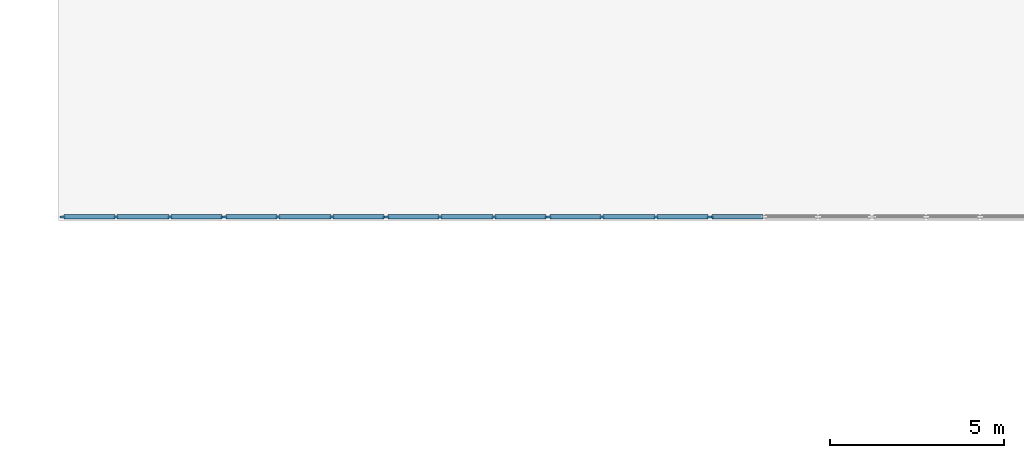
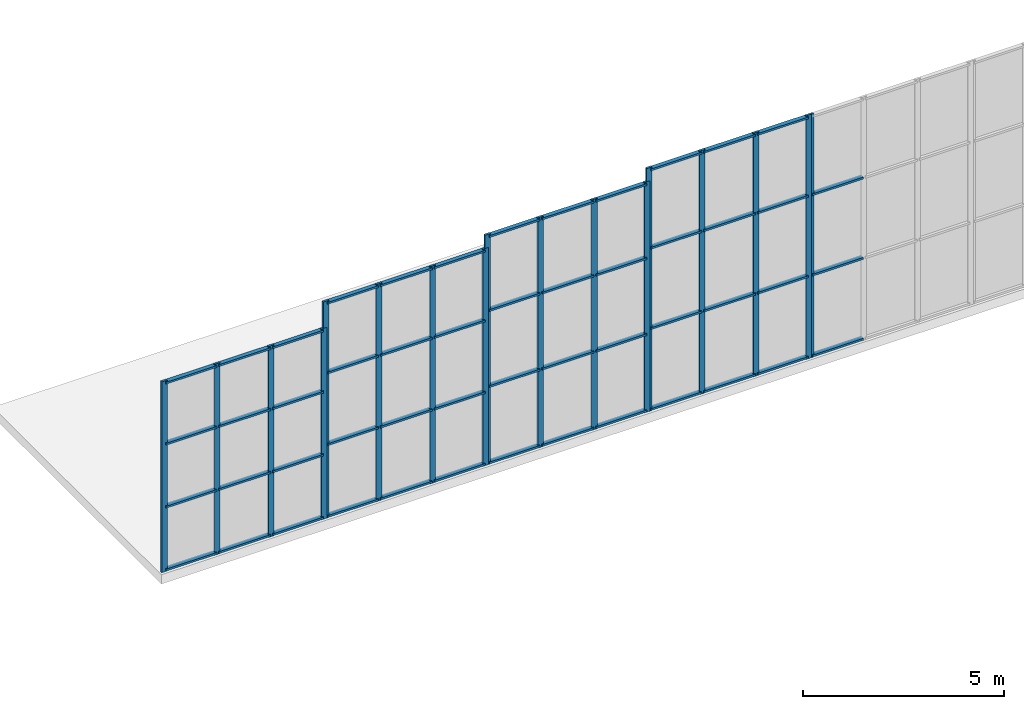
# One storey, part 35 of 100: 68 members, 5 elements without a shape of their own.
"""IFC4 building model written with IfcOpenShell, lengths in metres."""

from ifc_helpers import new_model, si_unit, direction, frame, origin, origin_2d, place, context, subcontext, project, spatial, rectangle, extrude, material, material_profile, profile_set, type_object, element, aggregate, save


model = new_model("IFC4")

# Units and contexts
model_context = context("Model", 3, precision=1e-05, world=origin(), true_north=direction((0.0, 1.0)))
body_context = subcontext(model_context, "Body", "Model", "MODEL_VIEW")
ifc_project = project(units=[si_unit("LENGTHUNIT", "METRE"), si_unit("AREAUNIT", "SQUARE_METRE"), si_unit("VOLUMEUNIT", "CUBIC_METRE"), si_unit("PLANEANGLEUNIT", "RADIAN"), si_unit("MASSUNIT", "GRAM", prefix="KILO")], contexts=[model_context])

# Site, building, storey
site_placement = place(None, origin())
site = spatial("IfcSite", under=ifc_project, at=site_placement, CompositionType="ELEMENT")
building_placement = place(site_placement, origin())
building = spatial("IfcBuilding", under=site, at=building_placement, Name="Cresset Court Congress Hotel", CompositionType="ELEMENT")
storey_placement = place(building_placement, frame((0.0, 0.0, 10.199951171875)))
storey = spatial("IfcBuildingStorey", under=building, at=storey_placement, Name="L02", CompositionType="ELEMENT", Elevation=10.199951171875)

# Curtain wall, members
ifc_material_1 = material(Name="Aluminium frame with insulated glass", Category="aluminium")
curtain_wall_type = type_object("IfcCurtainWallType", Name="Curtain wall module 1500", PredefinedType="NOTDEFINED", material=ifc_material_1)
curtain_wall_1_placement = place(storey_placement, origin())
curtain_wall_1 = element("IfcCurtainWall", 1, at=curtain_wall_1_placement, inside=storey, type_object=curtain_wall_type, Name="Curtain wall G1", PredefinedType="NOTDEFINED")
ifc_material_2 = material(Name="Aluminium", Category="aluminium")
ifc_material_profile_1 = material_profile(ifc_material_2, rectangle(XDim=0.1201171875, YDim=0.06005859375, at=origin_2d()), Name="AL 120x60")
ifc_profile_set_1 = profile_set([ifc_material_profile_1], Name="Aluminium")
member_type_1 = type_object("IfcMemberType", Name="CW transom RECT 120x60", PredefinedType="USERDEFINED", material=ifc_profile_set_1)
member_1_placement = place(storey_placement, frame((8.56005859375, 100.89990234375, 0.06005859375), z_axis=(1.0, 0.0, 0.0), x_axis=(0.0, 1.0, 0.0)))
member_1 = element("IfcMember", 2, at=member_1_placement, type_object=member_type_1, Name="D-X4 transom 1.1", ObjectType="TRANSOM", PredefinedType="USERDEFINED", context=body_context, shape_type="SweptSolid", body=[
    extrude(rectangle(XDim=0.1201171875, YDim=0.06005859375, at=origin_2d()), origin(), (0.0, 0.0, 1.0), 1.4580078125),
])
member_2_placement = place(storey_placement, frame((8.56005859375, 100.89990234375, 1.97216796875), z_axis=(1.0, 0.0, 0.0), x_axis=(0.0, 1.0, 0.0)))
member_2 = element("IfcMember", 3, at=member_2_placement, type_object=member_type_1, Name="D-X4 transom 1.2", ObjectType="TRANSOM", PredefinedType="USERDEFINED", context=body_context, shape_type="SweptSolid", body=[
    extrude(rectangle(XDim=0.1201171875, YDim=0.06005859375, at=origin_2d()), origin(), (0.0, 0.0, 1.0), 1.4580078125),
])
member_3_placement = place(storey_placement, frame((8.56005859375, 100.89990234375, 3.885986328125), z_axis=(1.0, 0.0, 0.0), x_axis=(0.0, 1.0, 0.0)))
member_3 = element("IfcMember", 4, at=member_3_placement, type_object=member_type_1, Name="D-X4 transom 1.3", ObjectType="TRANSOM", PredefinedType="USERDEFINED", context=body_context, shape_type="SweptSolid", body=[
    extrude(rectangle(XDim=0.1201171875, YDim=0.06005859375, at=origin_2d()), origin(), (0.0, 0.0, 1.0), 1.4580078125),
])
member_4_placement = place(storey_placement, frame((8.56005859375, 100.89990234375, 5.739990234375), z_axis=(1.0, 0.0, 0.0), x_axis=(0.0, 1.0, 0.0)))
member_4 = element("IfcMember", 5, at=member_4_placement, type_object=member_type_1, Name="D-X4 transom 1.4", ObjectType="TRANSOM", PredefinedType="USERDEFINED", context=body_context, shape_type="SweptSolid", body=[
    extrude(rectangle(XDim=0.1201171875, YDim=0.06005859375, at=origin_2d()), origin(), (0.0, 0.0, 1.0), 1.4580078125),
])
member_5_placement = place(storey_placement, frame((10.078125, 100.89990234375, 0.06005859375), z_axis=(1.0, 0.0, 0.0), x_axis=(0.0, 1.0, 0.0)))
member_5 = element("IfcMember", 6, at=member_5_placement, type_object=member_type_1, Name="D-X4 transom 2.1", ObjectType="TRANSOM", PredefinedType="USERDEFINED", context=body_context, shape_type="SweptSolid", body=[
    extrude(rectangle(XDim=0.1201171875, YDim=0.06005859375, at=origin_2d()), origin(), (0.0, 0.0, 1.0), 1.488037109375),
])
member_6_placement = place(storey_placement, frame((10.078125, 100.89990234375, 1.97216796875), z_axis=(1.0, 0.0, 0.0), x_axis=(0.0, 1.0, 0.0)))
member_6 = element("IfcMember", 7, at=member_6_placement, type_object=member_type_1, Name="D-X4 transom 2.2", ObjectType="TRANSOM", PredefinedType="USERDEFINED", context=body_context, shape_type="SweptSolid", body=[
    extrude(rectangle(XDim=0.1201171875, YDim=0.06005859375, at=origin_2d()), origin(), (0.0, 0.0, 1.0), 1.488037109375),
])
member_7_placement = place(storey_placement, frame((10.078125, 100.89990234375, 3.885986328125), z_axis=(1.0, 0.0, 0.0), x_axis=(0.0, 1.0, 0.0)))
member_7 = element("IfcMember", 8, at=member_7_placement, type_object=member_type_1, Name="D-X4 transom 2.3", ObjectType="TRANSOM", PredefinedType="USERDEFINED", context=body_context, shape_type="SweptSolid", body=[
    extrude(rectangle(XDim=0.1201171875, YDim=0.06005859375, at=origin_2d()), origin(), (0.0, 0.0, 1.0), 1.488037109375),
])
member_8_placement = place(storey_placement, frame((10.078125, 100.89990234375, 5.739990234375), z_axis=(1.0, 0.0, 0.0), x_axis=(0.0, 1.0, 0.0)))
member_8 = element("IfcMember", 9, at=member_8_placement, type_object=member_type_1, Name="D-X4 transom 2.4", ObjectType="TRANSOM", PredefinedType="USERDEFINED", context=body_context, shape_type="SweptSolid", body=[
    extrude(rectangle(XDim=0.1201171875, YDim=0.06005859375, at=origin_2d()), origin(), (0.0, 0.0, 1.0), 1.488037109375),
])
member_9_placement = place(storey_placement, frame((11.626220703125, 100.89990234375, 0.06005859375), z_axis=(1.0, 0.0, 0.0), x_axis=(0.0, 1.0, 0.0)))
member_9 = element("IfcMember", 10, at=member_9_placement, type_object=member_type_1, Name="D-X4 transom 3.1", ObjectType="TRANSOM", PredefinedType="USERDEFINED", context=body_context, shape_type="SweptSolid", body=[
    extrude(rectangle(XDim=0.1201171875, YDim=0.06005859375, at=origin_2d()), origin(), (0.0, 0.0, 1.0), 1.458251953125),
])
member_10_placement = place(storey_placement, frame((11.626220703125, 100.89990234375, 1.97216796875), z_axis=(1.0, 0.0, 0.0), x_axis=(0.0, 1.0, 0.0)))
member_10 = element("IfcMember", 11, at=member_10_placement, type_object=member_type_1, Name="D-X4 transom 3.2", ObjectType="TRANSOM", PredefinedType="USERDEFINED", context=body_context, shape_type="SweptSolid", body=[
    extrude(rectangle(XDim=0.1201171875, YDim=0.06005859375, at=origin_2d()), origin(), (0.0, 0.0, 1.0), 1.458251953125),
])
member_11_placement = place(storey_placement, frame((11.626220703125, 100.89990234375, 3.885986328125), z_axis=(1.0, 0.0, 0.0), x_axis=(0.0, 1.0, 0.0)))
member_11 = element("IfcMember", 12, at=member_11_placement, type_object=member_type_1, Name="D-X4 transom 3.3", ObjectType="TRANSOM", PredefinedType="USERDEFINED", context=body_context, shape_type="SweptSolid", body=[
    extrude(rectangle(XDim=0.1201171875, YDim=0.06005859375, at=origin_2d()), origin(), (0.0, 0.0, 1.0), 1.458251953125),
])
member_12_placement = place(storey_placement, frame((11.626220703125, 100.89990234375, 5.739990234375), z_axis=(1.0, 0.0, 0.0), x_axis=(0.0, 1.0, 0.0)))
member_12 = element("IfcMember", 13, at=member_12_placement, type_object=member_type_1, Name="D-X4 transom 3.4", ObjectType="TRANSOM", PredefinedType="USERDEFINED", context=body_context, shape_type="SweptSolid", body=[
    extrude(rectangle(XDim=0.1201171875, YDim=0.06005859375, at=origin_2d()), origin(), (0.0, 0.0, 1.0), 1.458251953125),
])

curtain_wall_2_placement = place(storey_placement, origin())
curtain_wall_2 = element("IfcCurtainWall", 14, at=curtain_wall_2_placement, inside=storey, type_object=curtain_wall_type, Name="Curtain wall G2", PredefinedType="NOTDEFINED")
member_13_placement = place(storey_placement, frame((13.204345703125, 100.89990234375, 0.06005859375), z_axis=(1.0, 0.0, 0.0), x_axis=(0.0, 1.0, 0.0)))
member_13 = element("IfcMember", 15, at=member_13_placement, type_object=member_type_1, Name="D-X4 transom 1.1", ObjectType="TRANSOM", PredefinedType="USERDEFINED", context=body_context, shape_type="SweptSolid", body=[
    extrude(rectangle(XDim=0.1201171875, YDim=0.06005859375, at=origin_2d()), origin(), (0.0, 0.0, 1.0), 1.458251953125),
])
member_14_placement = place(storey_placement, frame((13.204345703125, 100.89990234375, 2.244140625), z_axis=(1.0, 0.0, 0.0), x_axis=(0.0, 1.0, 0.0)))
member_14 = element("IfcMember", 16, at=member_14_placement, type_object=member_type_1, Name="D-X4 transom 1.2", ObjectType="TRANSOM", PredefinedType="USERDEFINED", context=body_context, shape_type="SweptSolid", body=[
    extrude(rectangle(XDim=0.1201171875, YDim=0.06005859375, at=origin_2d()), origin(), (0.0, 0.0, 1.0), 1.458251953125),
])
member_15_placement = place(storey_placement, frame((13.204345703125, 100.89990234375, 4.422119140625), z_axis=(1.0, 0.0, 0.0), x_axis=(0.0, 1.0, 0.0)))
member_15 = element("IfcMember", 17, at=member_15_placement, type_object=member_type_1, Name="D-X4 transom 1.3", ObjectType="TRANSOM", PredefinedType="USERDEFINED", context=body_context, shape_type="SweptSolid", body=[
    extrude(rectangle(XDim=0.1201171875, YDim=0.06005859375, at=origin_2d()), origin(), (0.0, 0.0, 1.0), 1.458251953125),
])
member_16_placement = place(storey_placement, frame((13.204345703125, 100.89990234375, 6.5400390625), z_axis=(1.0, 0.0, 0.0), x_axis=(0.0, 1.0, 0.0)))
member_16 = element("IfcMember", 18, at=member_16_placement, type_object=member_type_1, Name="D-X4 transom 1.4", ObjectType="TRANSOM", PredefinedType="USERDEFINED", context=body_context, shape_type="SweptSolid", body=[
    extrude(rectangle(XDim=0.1201171875, YDim=0.06005859375, at=origin_2d()), origin(), (0.0, 0.0, 1.0), 1.458251953125),
])
member_17_placement = place(storey_placement, frame((14.72265625, 100.89990234375, 0.06005859375), z_axis=(1.0, 0.0, 0.0), x_axis=(0.0, 1.0, 0.0)))
member_17 = element("IfcMember", 19, at=member_17_placement, type_object=member_type_1, Name="D-X4 transom 2.1", ObjectType="TRANSOM", PredefinedType="USERDEFINED", context=body_context, shape_type="SweptSolid", body=[
    extrude(rectangle(XDim=0.1201171875, YDim=0.06005859375, at=origin_2d()), origin(), (0.0, 0.0, 1.0), 1.488037109375),
])
member_18_placement = place(storey_placement, frame((14.72265625, 100.89990234375, 2.244140625), z_axis=(1.0, 0.0, 0.0), x_axis=(0.0, 1.0, 0.0)))
member_18 = element("IfcMember", 20, at=member_18_placement, type_object=member_type_1, Name="D-X4 transom 2.2", ObjectType="TRANSOM", PredefinedType="USERDEFINED", context=body_context, shape_type="SweptSolid", body=[
    extrude(rectangle(XDim=0.1201171875, YDim=0.06005859375, at=origin_2d()), origin(), (0.0, 0.0, 1.0), 1.488037109375),
])
member_19_placement = place(storey_placement, frame((14.72265625, 100.89990234375, 4.422119140625), z_axis=(1.0, 0.0, 0.0), x_axis=(0.0, 1.0, 0.0)))
member_19 = element("IfcMember", 21, at=member_19_placement, type_object=member_type_1, Name="D-X4 transom 2.3", ObjectType="TRANSOM", PredefinedType="USERDEFINED", context=body_context, shape_type="SweptSolid", body=[
    extrude(rectangle(XDim=0.1201171875, YDim=0.06005859375, at=origin_2d()), origin(), (0.0, 0.0, 1.0), 1.488037109375),
])
member_20_placement = place(storey_placement, frame((14.72265625, 100.89990234375, 6.5400390625), z_axis=(1.0, 0.0, 0.0), x_axis=(0.0, 1.0, 0.0)))
member_20 = element("IfcMember", 22, at=member_20_placement, type_object=member_type_1, Name="D-X4 transom 2.4", ObjectType="TRANSOM", PredefinedType="USERDEFINED", context=body_context, shape_type="SweptSolid", body=[
    extrude(rectangle(XDim=0.1201171875, YDim=0.06005859375, at=origin_2d()), origin(), (0.0, 0.0, 1.0), 1.488037109375),
])
member_21_placement = place(storey_placement, frame((16.270751953125, 100.89990234375, 0.06005859375), z_axis=(1.0, 0.0, 0.0), x_axis=(0.0, 1.0, 0.0)))
member_21 = element("IfcMember", 23, at=member_21_placement, type_object=member_type_1, Name="D-X4 transom 3.1", ObjectType="TRANSOM", PredefinedType="USERDEFINED", context=body_context, shape_type="SweptSolid", body=[
    extrude(rectangle(XDim=0.1201171875, YDim=0.06005859375, at=origin_2d()), origin(), (0.0, 0.0, 1.0), 1.458251953125),
])
member_22_placement = place(storey_placement, frame((16.270751953125, 100.89990234375, 2.244140625), z_axis=(1.0, 0.0, 0.0), x_axis=(0.0, 1.0, 0.0)))
member_22 = element("IfcMember", 24, at=member_22_placement, type_object=member_type_1, Name="D-X4 transom 3.2", ObjectType="TRANSOM", PredefinedType="USERDEFINED", context=body_context, shape_type="SweptSolid", body=[
    extrude(rectangle(XDim=0.1201171875, YDim=0.06005859375, at=origin_2d()), origin(), (0.0, 0.0, 1.0), 1.458251953125),
])
member_23_placement = place(storey_placement, frame((16.270751953125, 100.89990234375, 4.422119140625), z_axis=(1.0, 0.0, 0.0), x_axis=(0.0, 1.0, 0.0)))
member_23 = element("IfcMember", 25, at=member_23_placement, type_object=member_type_1, Name="D-X4 transom 3.3", ObjectType="TRANSOM", PredefinedType="USERDEFINED", context=body_context, shape_type="SweptSolid", body=[
    extrude(rectangle(XDim=0.1201171875, YDim=0.06005859375, at=origin_2d()), origin(), (0.0, 0.0, 1.0), 1.458251953125),
])
member_24_placement = place(storey_placement, frame((16.270751953125, 100.89990234375, 6.5400390625), z_axis=(1.0, 0.0, 0.0), x_axis=(0.0, 1.0, 0.0)))
member_24 = element("IfcMember", 26, at=member_24_placement, type_object=member_type_1, Name="D-X4 transom 3.4", ObjectType="TRANSOM", PredefinedType="USERDEFINED", context=body_context, shape_type="SweptSolid", body=[
    extrude(rectangle(XDim=0.1201171875, YDim=0.06005859375, at=origin_2d()), origin(), (0.0, 0.0, 1.0), 1.458251953125),
])

curtain_wall_3_placement = place(storey_placement, origin())
curtain_wall_3 = element("IfcCurtainWall", 27, at=curtain_wall_3_placement, inside=storey, type_object=curtain_wall_type, Name="Curtain wall G3", PredefinedType="NOTDEFINED")
member_25_placement = place(storey_placement, frame((17.848876953125, 100.89990234375, 0.06005859375), z_axis=(1.0, 0.0, 0.0), x_axis=(0.0, 1.0, 0.0)))
member_25 = element("IfcMember", 28, at=member_25_placement, type_object=member_type_1, Name="D-X4 transom 1.1", ObjectType="TRANSOM", PredefinedType="USERDEFINED", context=body_context, shape_type="SweptSolid", body=[
    extrude(rectangle(XDim=0.1201171875, YDim=0.06005859375, at=origin_2d()), origin(), (0.0, 0.0, 1.0), 1.458251953125),
])
member_26_placement = place(storey_placement, frame((17.848876953125, 100.89990234375, 2.380126953125), z_axis=(1.0, 0.0, 0.0), x_axis=(0.0, 1.0, 0.0)))
member_26 = element("IfcMember", 29, at=member_26_placement, type_object=member_type_1, Name="D-X4 transom 1.2", ObjectType="TRANSOM", PredefinedType="USERDEFINED", context=body_context, shape_type="SweptSolid", body=[
    extrude(rectangle(XDim=0.1201171875, YDim=0.06005859375, at=origin_2d()), origin(), (0.0, 0.0, 1.0), 1.458251953125),
])
member_27_placement = place(storey_placement, frame((17.848876953125, 100.89990234375, 4.68994140625), z_axis=(1.0, 0.0, 0.0), x_axis=(0.0, 1.0, 0.0)))
member_27 = element("IfcMember", 30, at=member_27_placement, type_object=member_type_1, Name="D-X4 transom 1.3", ObjectType="TRANSOM", PredefinedType="USERDEFINED", context=body_context, shape_type="SweptSolid", body=[
    extrude(rectangle(XDim=0.1201171875, YDim=0.06005859375, at=origin_2d()), origin(), (0.0, 0.0, 1.0), 1.458251953125),
])
member_28_placement = place(storey_placement, frame((17.848876953125, 100.89990234375, 6.93994140625), z_axis=(1.0, 0.0, 0.0), x_axis=(0.0, 1.0, 0.0)))
member_28 = element("IfcMember", 31, at=member_28_placement, type_object=member_type_1, Name="D-X4 transom 1.4", ObjectType="TRANSOM", PredefinedType="USERDEFINED", context=body_context, shape_type="SweptSolid", body=[
    extrude(rectangle(XDim=0.1201171875, YDim=0.06005859375, at=origin_2d()), origin(), (0.0, 0.0, 1.0), 1.458251953125),
])
member_29_placement = place(storey_placement, frame((19.366943359375, 100.89990234375, 0.06005859375), z_axis=(1.0, 0.0, 0.0), x_axis=(0.0, 1.0, 0.0)))
member_29 = element("IfcMember", 32, at=member_29_placement, type_object=member_type_1, Name="D-X4 transom 2.1", ObjectType="TRANSOM", PredefinedType="USERDEFINED", context=body_context, shape_type="SweptSolid", body=[
    extrude(rectangle(XDim=0.1201171875, YDim=0.06005859375, at=origin_2d()), origin(), (0.0, 0.0, 1.0), 1.48828125),
])
member_30_placement = place(storey_placement, frame((19.366943359375, 100.89990234375, 2.380126953125), z_axis=(1.0, 0.0, 0.0), x_axis=(0.0, 1.0, 0.0)))
member_30 = element("IfcMember", 33, at=member_30_placement, type_object=member_type_1, Name="D-X4 transom 2.2", ObjectType="TRANSOM", PredefinedType="USERDEFINED", context=body_context, shape_type="SweptSolid", body=[
    extrude(rectangle(XDim=0.1201171875, YDim=0.06005859375, at=origin_2d()), origin(), (0.0, 0.0, 1.0), 1.48828125),
])
member_31_placement = place(storey_placement, frame((19.366943359375, 100.89990234375, 4.68994140625), z_axis=(1.0, 0.0, 0.0), x_axis=(0.0, 1.0, 0.0)))
member_31 = element("IfcMember", 34, at=member_31_placement, type_object=member_type_1, Name="D-X4 transom 2.3", ObjectType="TRANSOM", PredefinedType="USERDEFINED", context=body_context, shape_type="SweptSolid", body=[
    extrude(rectangle(XDim=0.1201171875, YDim=0.06005859375, at=origin_2d()), origin(), (0.0, 0.0, 1.0), 1.48828125),
])
member_32_placement = place(storey_placement, frame((19.366943359375, 100.89990234375, 6.93994140625), z_axis=(1.0, 0.0, 0.0), x_axis=(0.0, 1.0, 0.0)))
member_32 = element("IfcMember", 35, at=member_32_placement, type_object=member_type_1, Name="D-X4 transom 2.4", ObjectType="TRANSOM", PredefinedType="USERDEFINED", context=body_context, shape_type="SweptSolid", body=[
    extrude(rectangle(XDim=0.1201171875, YDim=0.06005859375, at=origin_2d()), origin(), (0.0, 0.0, 1.0), 1.48828125),
])
member_33_placement = place(storey_placement, frame((20.915283203125, 100.89990234375, 0.06005859375), z_axis=(1.0, 0.0, 0.0), x_axis=(0.0, 1.0, 0.0)))
member_33 = element("IfcMember", 36, at=member_33_placement, type_object=member_type_1, Name="D-X4 transom 3.1", ObjectType="TRANSOM", PredefinedType="USERDEFINED", context=body_context, shape_type="SweptSolid", body=[
    extrude(rectangle(XDim=0.1201171875, YDim=0.06005859375, at=origin_2d()), origin(), (0.0, 0.0, 1.0), 1.4580078125),
])
member_34_placement = place(storey_placement, frame((20.915283203125, 100.89990234375, 2.380126953125), z_axis=(1.0, 0.0, 0.0), x_axis=(0.0, 1.0, 0.0)))
member_34 = element("IfcMember", 37, at=member_34_placement, type_object=member_type_1, Name="D-X4 transom 3.2", ObjectType="TRANSOM", PredefinedType="USERDEFINED", context=body_context, shape_type="SweptSolid", body=[
    extrude(rectangle(XDim=0.1201171875, YDim=0.06005859375, at=origin_2d()), origin(), (0.0, 0.0, 1.0), 1.4580078125),
])
member_35_placement = place(storey_placement, frame((20.915283203125, 100.89990234375, 4.68994140625), z_axis=(1.0, 0.0, 0.0), x_axis=(0.0, 1.0, 0.0)))
member_35 = element("IfcMember", 38, at=member_35_placement, type_object=member_type_1, Name="D-X4 transom 3.3", ObjectType="TRANSOM", PredefinedType="USERDEFINED", context=body_context, shape_type="SweptSolid", body=[
    extrude(rectangle(XDim=0.1201171875, YDim=0.06005859375, at=origin_2d()), origin(), (0.0, 0.0, 1.0), 1.4580078125),
])
member_36_placement = place(storey_placement, frame((20.915283203125, 100.89990234375, 6.93994140625), z_axis=(1.0, 0.0, 0.0), x_axis=(0.0, 1.0, 0.0)))
member_36 = element("IfcMember", 39, at=member_36_placement, type_object=member_type_1, Name="D-X4 transom 3.4", ObjectType="TRANSOM", PredefinedType="USERDEFINED", context=body_context, shape_type="SweptSolid", body=[
    extrude(rectangle(XDim=0.1201171875, YDim=0.06005859375, at=origin_2d()), origin(), (0.0, 0.0, 1.0), 1.4580078125),
])

curtain_wall_4_placement = place(storey_placement, origin())
curtain_wall_4 = element("IfcCurtainWall", 40, at=curtain_wall_4_placement, inside=storey, type_object=curtain_wall_type, Name="Curtain wall G4", PredefinedType="NOTDEFINED")
member_37_placement = place(storey_placement, frame((22.493408203125, 100.89990234375, 0.06005859375), z_axis=(1.0, 0.0, 0.0), x_axis=(0.0, 1.0, 0.0)))
member_37 = element("IfcMember", 41, at=member_37_placement, type_object=member_type_1, Name="D-X4 transom 1.1", ObjectType="TRANSOM", PredefinedType="USERDEFINED", context=body_context, shape_type="SweptSolid", body=[
    extrude(rectangle(XDim=0.1201171875, YDim=0.06005859375, at=origin_2d()), origin(), (0.0, 0.0, 1.0), 1.4580078125),
])
member_38_placement = place(storey_placement, frame((22.493408203125, 100.89990234375, 2.51611328125), z_axis=(1.0, 0.0, 0.0), x_axis=(0.0, 1.0, 0.0)))
member_38 = element("IfcMember", 42, at=member_38_placement, type_object=member_type_1, Name="D-X4 transom 1.2", ObjectType="TRANSOM", PredefinedType="USERDEFINED", context=body_context, shape_type="SweptSolid", body=[
    extrude(rectangle(XDim=0.1201171875, YDim=0.06005859375, at=origin_2d()), origin(), (0.0, 0.0, 1.0), 1.4580078125),
])
member_39_placement = place(storey_placement, frame((22.493408203125, 100.89990234375, 4.9580078125), z_axis=(1.0, 0.0, 0.0), x_axis=(0.0, 1.0, 0.0)))
member_39 = element("IfcMember", 43, at=member_39_placement, type_object=member_type_1, Name="D-X4 transom 1.3", ObjectType="TRANSOM", PredefinedType="USERDEFINED", context=body_context, shape_type="SweptSolid", body=[
    extrude(rectangle(XDim=0.1201171875, YDim=0.06005859375, at=origin_2d()), origin(), (0.0, 0.0, 1.0), 1.4580078125),
])
member_40_placement = place(storey_placement, frame((22.493408203125, 100.89990234375, 7.340087890625), z_axis=(1.0, 0.0, 0.0), x_axis=(0.0, 1.0, 0.0)))
member_40 = element("IfcMember", 44, at=member_40_placement, type_object=member_type_1, Name="D-X4 transom 1.4", ObjectType="TRANSOM", PredefinedType="USERDEFINED", context=body_context, shape_type="SweptSolid", body=[
    extrude(rectangle(XDim=0.1201171875, YDim=0.06005859375, at=origin_2d()), origin(), (0.0, 0.0, 1.0), 1.4580078125),
])
member_41_placement = place(storey_placement, frame((24.011474609375, 100.89990234375, 0.06005859375), z_axis=(1.0, 0.0, 0.0), x_axis=(0.0, 1.0, 0.0)))
member_41 = element("IfcMember", 45, at=member_41_placement, type_object=member_type_1, Name="D-X4 transom 2.1", ObjectType="TRANSOM", PredefinedType="USERDEFINED", context=body_context, shape_type="SweptSolid", body=[
    extrude(rectangle(XDim=0.1201171875, YDim=0.06005859375, at=origin_2d()), origin(), (0.0, 0.0, 1.0), 1.488037109375),
])
member_42_placement = place(storey_placement, frame((24.011474609375, 100.89990234375, 2.51611328125), z_axis=(1.0, 0.0, 0.0), x_axis=(0.0, 1.0, 0.0)))
member_42 = element("IfcMember", 46, at=member_42_placement, type_object=member_type_1, Name="D-X4 transom 2.2", ObjectType="TRANSOM", PredefinedType="USERDEFINED", context=body_context, shape_type="SweptSolid", body=[
    extrude(rectangle(XDim=0.1201171875, YDim=0.06005859375, at=origin_2d()), origin(), (0.0, 0.0, 1.0), 1.488037109375),
])
member_43_placement = place(storey_placement, frame((24.011474609375, 100.89990234375, 4.9580078125), z_axis=(1.0, 0.0, 0.0), x_axis=(0.0, 1.0, 0.0)))
member_43 = element("IfcMember", 47, at=member_43_placement, type_object=member_type_1, Name="D-X4 transom 2.3", ObjectType="TRANSOM", PredefinedType="USERDEFINED", context=body_context, shape_type="SweptSolid", body=[
    extrude(rectangle(XDim=0.1201171875, YDim=0.06005859375, at=origin_2d()), origin(), (0.0, 0.0, 1.0), 1.488037109375),
])
member_44_placement = place(storey_placement, frame((24.011474609375, 100.89990234375, 7.340087890625), z_axis=(1.0, 0.0, 0.0), x_axis=(0.0, 1.0, 0.0)))
member_44 = element("IfcMember", 48, at=member_44_placement, type_object=member_type_1, Name="D-X4 transom 2.4", ObjectType="TRANSOM", PredefinedType="USERDEFINED", context=body_context, shape_type="SweptSolid", body=[
    extrude(rectangle(XDim=0.1201171875, YDim=0.06005859375, at=origin_2d()), origin(), (0.0, 0.0, 1.0), 1.488037109375),
])
member_45_placement = place(storey_placement, frame((25.5595703125, 100.89990234375, 0.06005859375), z_axis=(1.0, 0.0, 0.0), x_axis=(0.0, 1.0, 0.0)))
member_45 = element("IfcMember", 49, at=member_45_placement, type_object=member_type_1, Name="D-X4 transom 3.1", ObjectType="TRANSOM", PredefinedType="USERDEFINED", context=body_context, shape_type="SweptSolid", body=[
    extrude(rectangle(XDim=0.1201171875, YDim=0.06005859375, at=origin_2d()), origin(), (0.0, 0.0, 1.0), 1.458251953125),
])
member_46_placement = place(storey_placement, frame((25.5595703125, 100.89990234375, 2.51611328125), z_axis=(1.0, 0.0, 0.0), x_axis=(0.0, 1.0, 0.0)))
member_46 = element("IfcMember", 50, at=member_46_placement, type_object=member_type_1, Name="D-X4 transom 3.2", ObjectType="TRANSOM", PredefinedType="USERDEFINED", context=body_context, shape_type="SweptSolid", body=[
    extrude(rectangle(XDim=0.1201171875, YDim=0.06005859375, at=origin_2d()), origin(), (0.0, 0.0, 1.0), 1.458251953125),
])
member_47_placement = place(storey_placement, frame((25.5595703125, 100.89990234375, 4.9580078125), z_axis=(1.0, 0.0, 0.0), x_axis=(0.0, 1.0, 0.0)))
member_47 = element("IfcMember", 51, at=member_47_placement, type_object=member_type_1, Name="D-X4 transom 3.3", ObjectType="TRANSOM", PredefinedType="USERDEFINED", context=body_context, shape_type="SweptSolid", body=[
    extrude(rectangle(XDim=0.1201171875, YDim=0.06005859375, at=origin_2d()), origin(), (0.0, 0.0, 1.0), 1.458251953125),
])
member_48_placement = place(storey_placement, frame((25.5595703125, 100.89990234375, 7.340087890625), z_axis=(1.0, 0.0, 0.0), x_axis=(0.0, 1.0, 0.0)))
member_48 = element("IfcMember", 52, at=member_48_placement, type_object=member_type_1, Name="D-X4 transom 3.4", ObjectType="TRANSOM", PredefinedType="USERDEFINED", context=body_context, shape_type="SweptSolid", body=[
    extrude(rectangle(XDim=0.1201171875, YDim=0.06005859375, at=origin_2d()), origin(), (0.0, 0.0, 1.0), 1.458251953125),
])

curtain_wall_5_placement = place(storey_placement, origin())
curtain_wall_5 = element("IfcCurtainWall", 53, at=curtain_wall_5_placement, inside=storey, type_object=curtain_wall_type, Name="Curtain wall G5", PredefinedType="NOTDEFINED")
member_49_placement = place(storey_placement, frame((27.1376953125, 100.89990234375, 0.06005859375), z_axis=(1.0, 0.0, 0.0), x_axis=(0.0, 1.0, 0.0)))
member_49 = element("IfcMember", 54, at=member_49_placement, type_object=member_type_1, Name="D-X4 transom 1.1", ObjectType="TRANSOM", PredefinedType="USERDEFINED", context=body_context, shape_type="SweptSolid", body=[
    extrude(rectangle(XDim=0.1201171875, YDim=0.06005859375, at=origin_2d()), origin(), (0.0, 0.0, 1.0), 1.458251953125),
])
member_50_placement = place(storey_placement, frame((27.1376953125, 100.89990234375, 2.51611328125), z_axis=(1.0, 0.0, 0.0), x_axis=(0.0, 1.0, 0.0)))
member_50 = element("IfcMember", 55, at=member_50_placement, type_object=member_type_1, Name="D-X4 transom 1.2", ObjectType="TRANSOM", PredefinedType="USERDEFINED", context=body_context, shape_type="SweptSolid", body=[
    extrude(rectangle(XDim=0.1201171875, YDim=0.06005859375, at=origin_2d()), origin(), (0.0, 0.0, 1.0), 1.458251953125),
])
member_51_placement = place(storey_placement, frame((27.1376953125, 100.89990234375, 4.9580078125), z_axis=(1.0, 0.0, 0.0), x_axis=(0.0, 1.0, 0.0)))
member_51 = element("IfcMember", 56, at=member_51_placement, type_object=member_type_1, Name="D-X4 transom 1.3", ObjectType="TRANSOM", PredefinedType="USERDEFINED", context=body_context, shape_type="SweptSolid", body=[
    extrude(rectangle(XDim=0.1201171875, YDim=0.06005859375, at=origin_2d()), origin(), (0.0, 0.0, 1.0), 1.458251953125),
])

# Member
ifc_material_3 = material(Name="Anodised aluminium", Category="aluminium")
ifc_material_profile_2 = material_profile(ifc_material_3, rectangle(XDim=0.06005859375, YDim=0.159912109375, at=origin_2d()), Name="AL60x160")
ifc_profile_set_2 = profile_set([ifc_material_profile_2], Name="Anodised aluminium")
member_type_2 = type_object("IfcMemberType", Name="Curtain wall mullion 60x160", PredefinedType="MULLION", material=ifc_profile_set_2)
member_52_placement = place(storey_placement, frame((8.530029296875, 100.89990234375, 0.0), z_axis=(0.0, 0.0, 1.0), x_axis=(0.0, 1.0, 0.0)))
member_52 = element("IfcMember", 57, at=member_52_placement, type_object=member_type_2, Name="D-X4 mullion 1", PredefinedType="MULLION", context=body_context, shape_type="SweptSolid", body=[
    extrude(rectangle(XDim=0.06005859375, YDim=0.159912109375, at=origin_2d()), origin(), (0.0, 0.0, 1.0), 5.800048828125),
])

member_53_placement = place(storey_placement, frame((10.048095703125, 100.89990234375, 0.0), z_axis=(0.0, 0.0, 1.0), x_axis=(0.0, 1.0, 0.0)))
member_53 = element("IfcMember", 58, at=member_53_placement, type_object=member_type_2, Name="D-X4 mullion 2", PredefinedType="MULLION", context=body_context, shape_type="SweptSolid", body=[
    extrude(rectangle(XDim=0.06005859375, YDim=0.159912109375, at=origin_2d()), origin(), (0.0, 0.0, 1.0), 5.800048828125),
])

member_54_placement = place(storey_placement, frame((11.59619140625, 100.89990234375, 0.0), z_axis=(0.0, 0.0, 1.0), x_axis=(0.0, 1.0, 0.0)))
member_54 = element("IfcMember", 59, at=member_54_placement, type_object=member_type_2, Name="D-X4 mullion 3", PredefinedType="MULLION", context=body_context, shape_type="SweptSolid", body=[
    extrude(rectangle(XDim=0.06005859375, YDim=0.159912109375, at=origin_2d()), origin(), (0.0, 0.0, 1.0), 5.800048828125),
])

member_55_placement = place(storey_placement, frame((13.114501953125, 100.89990234375, 0.0), z_axis=(0.0, 0.0, 1.0), x_axis=(0.0, 1.0, 0.0)))
member_55 = element("IfcMember", 60, at=member_55_placement, type_object=member_type_2, Name="D-X4 mullion 4", PredefinedType="MULLION", context=body_context, shape_type="SweptSolid", body=[
    extrude(rectangle(XDim=0.06005859375, YDim=0.159912109375, at=origin_2d()), origin(), (0.0, 0.0, 1.0), 5.800048828125),
])

aggregate(curtain_wall_1, [member_52, member_53, member_54, member_55, member_1, member_2, member_3, member_4, member_5, member_6, member_7, member_8, member_9, member_10, member_11, member_12])

member_56_placement = place(storey_placement, frame((13.17431640625, 100.89990234375, 0.0), z_axis=(0.0, 0.0, 1.0), x_axis=(0.0, 1.0, 0.0)))
member_56 = element("IfcMember", 61, at=member_56_placement, type_object=member_type_2, Name="D-X4 mullion 1", PredefinedType="MULLION", context=body_context, shape_type="SweptSolid", body=[
    extrude(rectangle(XDim=0.06005859375, YDim=0.159912109375, at=origin_2d()), origin(), (0.0, 0.0, 1.0), 6.60009765625),
])

member_57_placement = place(storey_placement, frame((14.692626953125, 100.89990234375, 0.0), z_axis=(0.0, 0.0, 1.0), x_axis=(0.0, 1.0, 0.0)))
member_57 = element("IfcMember", 62, at=member_57_placement, type_object=member_type_2, Name="D-X4 mullion 2", PredefinedType="MULLION", context=body_context, shape_type="SweptSolid", body=[
    extrude(rectangle(XDim=0.06005859375, YDim=0.159912109375, at=origin_2d()), origin(), (0.0, 0.0, 1.0), 6.60009765625),
])

member_58_placement = place(storey_placement, frame((16.24072265625, 100.89990234375, 0.0), z_axis=(0.0, 0.0, 1.0), x_axis=(0.0, 1.0, 0.0)))
member_58 = element("IfcMember", 63, at=member_58_placement, type_object=member_type_2, Name="D-X4 mullion 3", PredefinedType="MULLION", context=body_context, shape_type="SweptSolid", body=[
    extrude(rectangle(XDim=0.06005859375, YDim=0.159912109375, at=origin_2d()), origin(), (0.0, 0.0, 1.0), 6.60009765625),
])

member_59_placement = place(storey_placement, frame((17.7587890625, 100.89990234375, 0.0), z_axis=(0.0, 0.0, 1.0), x_axis=(0.0, 1.0, 0.0)))
member_59 = element("IfcMember", 64, at=member_59_placement, type_object=member_type_2, Name="D-X4 mullion 4", PredefinedType="MULLION", context=body_context, shape_type="SweptSolid", body=[
    extrude(rectangle(XDim=0.06005859375, YDim=0.159912109375, at=origin_2d()), origin(), (0.0, 0.0, 1.0), 6.60009765625),
])

aggregate(curtain_wall_2, [member_56, member_57, member_58, member_59, member_13, member_14, member_15, member_16, member_17, member_18, member_19, member_20, member_21, member_22, member_23, member_24])

member_60_placement = place(storey_placement, frame((17.81884765625, 100.89990234375, 0.0), z_axis=(0.0, 0.0, 1.0), x_axis=(0.0, 1.0, 0.0)))
member_60 = element("IfcMember", 65, at=member_60_placement, type_object=member_type_2, Name="D-X4 mullion 1", PredefinedType="MULLION", context=body_context, shape_type="SweptSolid", body=[
    extrude(rectangle(XDim=0.06005859375, YDim=0.159912109375, at=origin_2d()), origin(), (0.0, 0.0, 1.0), 7.0),
])

member_61_placement = place(storey_placement, frame((19.3369140625, 100.89990234375, 0.0), z_axis=(0.0, 0.0, 1.0), x_axis=(0.0, 1.0, 0.0)))
member_61 = element("IfcMember", 66, at=member_61_placement, type_object=member_type_2, Name="D-X4 mullion 2", PredefinedType="MULLION", context=body_context, shape_type="SweptSolid", body=[
    extrude(rectangle(XDim=0.06005859375, YDim=0.159912109375, at=origin_2d()), origin(), (0.0, 0.0, 1.0), 7.0),
])

member_62_placement = place(storey_placement, frame((20.88525390625, 100.89990234375, 0.0), z_axis=(0.0, 0.0, 1.0), x_axis=(0.0, 1.0, 0.0)))
member_62 = element("IfcMember", 67, at=member_62_placement, type_object=member_type_2, Name="D-X4 mullion 3", PredefinedType="MULLION", context=body_context, shape_type="SweptSolid", body=[
    extrude(rectangle(XDim=0.06005859375, YDim=0.159912109375, at=origin_2d()), origin(), (0.0, 0.0, 1.0), 7.0),
])

member_63_placement = place(storey_placement, frame((22.4033203125, 100.89990234375, 0.0), z_axis=(0.0, 0.0, 1.0), x_axis=(0.0, 1.0, 0.0)))
member_63 = element("IfcMember", 68, at=member_63_placement, type_object=member_type_2, Name="D-X4 mullion 4", PredefinedType="MULLION", context=body_context, shape_type="SweptSolid", body=[
    extrude(rectangle(XDim=0.06005859375, YDim=0.159912109375, at=origin_2d()), origin(), (0.0, 0.0, 1.0), 7.0),
])

aggregate(curtain_wall_3, [member_60, member_61, member_62, member_63, member_25, member_26, member_27, member_28, member_29, member_30, member_31, member_32, member_33, member_34, member_35, member_36])

member_64_placement = place(storey_placement, frame((22.46337890625, 100.89990234375, 0.0), z_axis=(0.0, 0.0, 1.0), x_axis=(0.0, 1.0, 0.0)))
member_64 = element("IfcMember", 69, at=member_64_placement, type_object=member_type_2, Name="D-X4 mullion 1", PredefinedType="MULLION", context=body_context, shape_type="SweptSolid", body=[
    extrude(rectangle(XDim=0.06005859375, YDim=0.159912109375, at=origin_2d()), origin(), (0.0, 0.0, 1.0), 7.400146484375),
])

member_65_placement = place(storey_placement, frame((23.9814453125, 100.89990234375, 0.0), z_axis=(0.0, 0.0, 1.0), x_axis=(0.0, 1.0, 0.0)))
member_65 = element("IfcMember", 70, at=member_65_placement, type_object=member_type_2, Name="D-X4 mullion 2", PredefinedType="MULLION", context=body_context, shape_type="SweptSolid", body=[
    extrude(rectangle(XDim=0.06005859375, YDim=0.159912109375, at=origin_2d()), origin(), (0.0, 0.0, 1.0), 7.400146484375),
])

member_66_placement = place(storey_placement, frame((25.529541015625, 100.89990234375, 0.0), z_axis=(0.0, 0.0, 1.0), x_axis=(0.0, 1.0, 0.0)))
member_66 = element("IfcMember", 71, at=member_66_placement, type_object=member_type_2, Name="D-X4 mullion 3", PredefinedType="MULLION", context=body_context, shape_type="SweptSolid", body=[
    extrude(rectangle(XDim=0.06005859375, YDim=0.159912109375, at=origin_2d()), origin(), (0.0, 0.0, 1.0), 7.400146484375),
])

member_67_placement = place(storey_placement, frame((27.0478515625, 100.89990234375, 0.0), z_axis=(0.0, 0.0, 1.0), x_axis=(0.0, 1.0, 0.0)))
member_67 = element("IfcMember", 72, at=member_67_placement, type_object=member_type_2, Name="D-X4 mullion 4", PredefinedType="MULLION", context=body_context, shape_type="SweptSolid", body=[
    extrude(rectangle(XDim=0.06005859375, YDim=0.159912109375, at=origin_2d()), origin(), (0.0, 0.0, 1.0), 7.400146484375),
])

aggregate(curtain_wall_4, [member_64, member_65, member_66, member_67, member_37, member_38, member_39, member_40, member_41, member_42, member_43, member_44, member_45, member_46, member_47, member_48])

member_68_placement = place(storey_placement, frame((27.10791015625, 100.89990234375, 0.0), z_axis=(0.0, 0.0, 1.0), x_axis=(0.0, 1.0, 0.0)))
member_68 = element("IfcMember", 73, at=member_68_placement, type_object=member_type_2, Name="D-X4 mullion 1", PredefinedType="MULLION", context=body_context, shape_type="SweptSolid", body=[
    extrude(rectangle(XDim=0.06005859375, YDim=0.159912109375, at=origin_2d()), origin(), (0.0, 0.0, 1.0), 7.400146484375),
])

aggregate(curtain_wall_5, [member_68, member_49, member_50, member_51])

save(model, "model.ifc")
